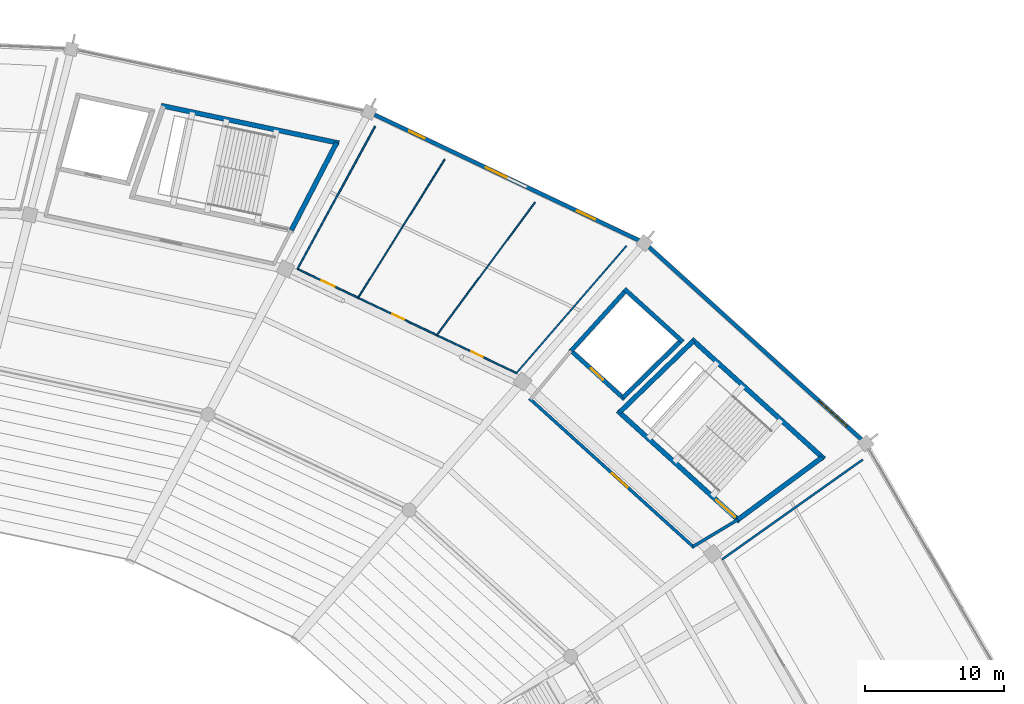
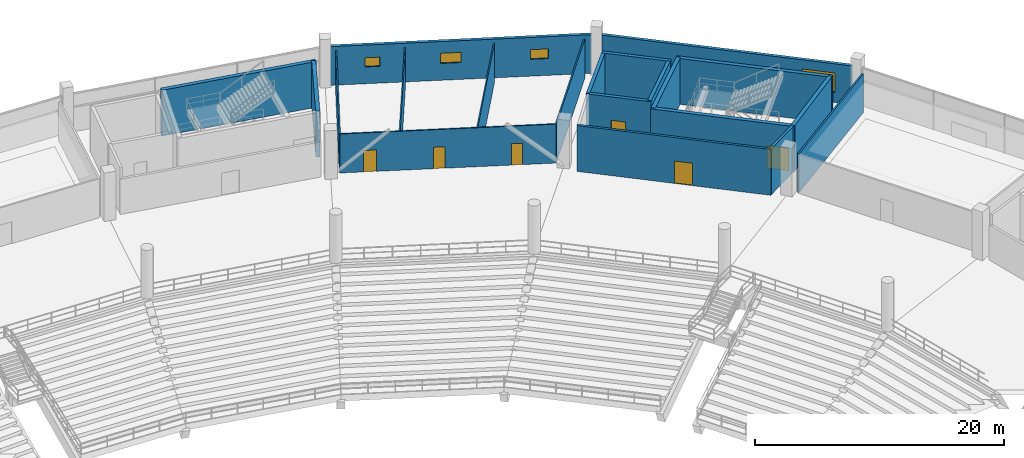
# One storey, part 108 of 156: 20 walls, 6 doors, 4 windows, 10 openings.
"""IFC4 building model written with IfcOpenShell, lengths in metres."""

from ifc_helpers import new_model, si_unit, direction, frame, frame_2d, origin, place, context, subcontext, project, spatial, rectangle, extrude, material, layer, layer_set, type_object, element, fill, save


model = new_model("IFC4")

# Units and contexts
model_context = context("Model", 3, precision=1e-05, world=origin(), true_north=direction((0.0, 1.0)))
body_context = subcontext(model_context, "Body", "Model", "MODEL_VIEW")
ifc_project = project(units=[si_unit("LENGTHUNIT", "METRE"), si_unit("AREAUNIT", "SQUARE_METRE"), si_unit("VOLUMEUNIT", "CUBIC_METRE"), si_unit("PLANEANGLEUNIT", "RADIAN"), si_unit("MASSUNIT", "GRAM", prefix="KILO")], contexts=[model_context])

# Site, building, storey
site_placement = place(None, origin())
site = spatial("IfcSite", under=ifc_project, at=site_placement, CompositionType="ELEMENT")
building_placement = place(site_placement, origin())
building = spatial("IfcBuilding", under=site, at=building_placement, Name="Kazemori Nagisa Stadium", CompositionType="ELEMENT")
storey_placement = place(building_placement, frame((0.0, 0.0, 5.780029296875)))
storey = spatial("IfcBuildingStorey", under=building, at=storey_placement, Name="L01", CompositionType="ELEMENT", Elevation=5.780029296875)

# Wall, opening, door
ifc_material_1 = material(Name="Concrete C40/50 (Fc42)", Category="concrete")
ifc_layer_1 = layer(ifc_material_1, 0.35009765625, Name="Concrete C40/50 (Fc42)", Category="concrete")
ifc_layer_set_1 = layer_set([ifc_layer_1], Name="Concrete C40/50 (Fc42)")
wall_type_1 = type_object("IfcWallType", Name="Wall_W-CORE-350", PredefinedType="SHEAR", material=ifc_layer_set_1)
wall_1_placement = place(storey_placement, frame((192.438720703125, 153.072021484375, 0.0), z_axis=(0.0, 0.0, 1.0), x_axis=(-0.741358227035, 0.671109513572, 0.0)))
wall_1 = element("IfcWall", 1, at=wall_1_placement, inside=storey, type_object=wall_type_1, Name="Core stair front shear wall ST01 L01", PredefinedType="SHEAR", context=body_context, shape_type="SweptSolid", body=[
    extrude(rectangle(XDim=11.82666015625, YDim=0.35009765625, at=frame_2d((5.913330078125, 0.0))), origin(), (0.0, 0.0, 1.0), 4.5),
])
opening_1_placement = place(wall_1_placement, frame((0.47509765625, 0.0, 0.0)))
opening_1 = element("IfcOpeningElement", 2, at=opening_1_placement, cuts=wall_1, Name="Opening D-ST-1800", PredefinedType="OPENING", context=body_context, shape_type="SweptSolid", body=[
    extrude(rectangle(XDim=1.800048828125, YDim=2.199951171875, at=frame_2d((0.89990234375, 1.10009765625))), frame((0.0, 0.18505859375, 0.0), z_axis=(0.0, -1.0, 0.0), x_axis=(1.0, 0.0, 0.0)), (0.0, 0.0, 1.0), 0.3701171875),
])
ifc_material_2 = material(Name="Galvanised steel sheet", Category="steel")
door_type_1 = type_object("IfcDoorType", Name="Door_D-ST-1800", OperationType="NOTDEFINED", PredefinedType="DOOR", material=ifc_material_2)
door_1_placement = place(opening_1_placement, frame((1.800048828125, 0.0, 0.0), z_axis=(0.0, 0.0, 1.0), x_axis=(-1.0, 0.0, 0.0)))
door_1 = element("IfcDoor", 3, at=door_1_placement, inside=storey, type_object=door_type_1, Name="Exit stair fire door ST01-L01", OperationType="SINGLE_SWING_LEFT", OverallHeight=2.199951171875, OverallWidth=1.800048828125, PredefinedType="DOOR", context=body_context, shape_type="SweptSolid", body=[
    extrude(rectangle(XDim=1.800048828125, YDim=2.199951171875, at=frame_2d((0.89990234375, 1.10009765625))), frame((0.0, 0.02490234375, 0.0), z_axis=(0.0, -1.0, 0.0), x_axis=(1.0, 0.0, 0.0)), (0.0, 0.0, 1.0), 0.050048828125),
])
fill(opening_1, door_1)

# Walls
wall_2_placement = place(storey_placement, frame((198.499267578125, 157.548095703125, 0.0), z_axis=(0.0, 0.0, 1.0), x_axis=(-0.741351373721, 0.671117084183, 0.0)))
element("IfcWall", 4, at=wall_2_placement, inside=storey, type_object=wall_type_1, Name="Core stair rear shear wall ST01 L01", PredefinedType="SHEAR", context=body_context, shape_type="SweptSolid", body=[
    extrude(rectangle(XDim=12.830322265625, YDim=0.35009765625, at=frame_2d((6.4150390625, 0.0))), origin(), (0.0, 0.0, 1.0), 4.5),
])
wall_3_placement = place(storey_placement, frame((192.308837890625, 153.189453125, 0.0), z_axis=(0.0, 0.0, 1.0), x_axis=(0.804395625347, 0.594093997548, 0.0)))
element("IfcWall", 5, at=wall_3_placement, inside=storey, type_object=wall_type_1, Name="Core stair left shear wall ST01 L01", PredefinedType="SHEAR", context=body_context, shape_type="SweptSolid", body=[
    extrude(rectangle(XDim=7.5341796875, YDim=0.35009765625, at=frame_2d((3.76708984375, 0.0))), origin(), (0.0, 0.0, 1.0), 4.5),
])
wall_4_placement = place(storey_placement, frame((183.800537109375, 160.8916015625, 0.0), z_axis=(0.0, 0.0, 1.0), x_axis=(0.718297398554, 0.69573619083, 0.0)))
element("IfcWall", 6, at=wall_4_placement, inside=storey, type_object=wall_type_1, Name="Core stair right shear wall ST01 L01", PredefinedType="SHEAR", context=body_context, shape_type="SweptSolid", body=[
    extrude(rectangle(XDim=7.40185546875, YDim=0.35009765625, at=frame_2d((3.700927734375, 0.0))), origin(), (0.0, 0.0, 1.0), 4.5),
])
wall_5_placement = place(storey_placement, frame((163.655029296875, 180.2333984375, 0.0), z_axis=(0.0, 0.0, 1.0), x_axis=(-0.978345119536, 0.206980257705, 0.0)))
element("IfcWall", 7, at=wall_5_placement, inside=storey, type_object=wall_type_1, Name="Core stair rear shear wall ST11 L01", PredefinedType="SHEAR", context=body_context, shape_type="SweptSolid", body=[
    extrude(rectangle(XDim=13.06689453125, YDim=0.35009765625, at=frame_2d((6.533447265625, 0.0))), origin(), (0.0, 0.0, 1.0), 4.5),
])
wall_6_placement = place(storey_placement, frame((160.228515625, 173.975830078125, 0.0), z_axis=(0.0, 0.0, 1.0), x_axis=(0.459409796564, 0.888224430435, 0.0)))
element("IfcWall", 8, at=wall_6_placement, inside=storey, type_object=wall_type_1, Name="Core stair left shear wall ST11 L01", PredefinedType="SHEAR", context=body_context, shape_type="SweptSolid", body=[
    extrude(rectangle(XDim=7.0859375, YDim=0.35009765625, at=frame_2d((3.54296875, 0.0))), origin(), (0.0, 0.0, 1.0), 4.5),
])

# Wall, opening, window
ifc_material_3 = material(Name="Concrete C40/50 (Fc42) precast", Category="concrete")
ifc_layer_2 = layer(ifc_material_3, 0.27490234375, Name="Concrete C40/50 (Fc42) precast", Category="concrete")
ifc_layer_set_2 = layer_set([ifc_layer_2], Name="Concrete C40/50 (Fc42) precast")
wall_type_2 = type_object("IfcWallType", Name="Wall_W-EXT-275", PredefinedType="SOLIDWALL", material=ifc_layer_set_2)
wall_7_placement = place(storey_placement, frame((201.169189453125, 158.962890625, 0.0), z_axis=(0.0, 0.0, 1.0), x_axis=(-0.741352367697, 0.671115986183, 0.0)))
wall_7 = element("IfcWall", 9, at=wall_7_placement, inside=storey, type_object=wall_type_2, Name="Exterior facade wall L01-04", PredefinedType="SOLIDWALL", context=body_context, shape_type="SweptSolid", body=[
    extrude(rectangle(XDim=20.56396484375, YDim=0.27490234375, at=frame_2d((10.281982421875, 0.0))), origin(), (0.0, 0.0, 1.0), 3.7978515625),
])
opening_2_placement = place(wall_7_placement, frame((1.39990234375, 0.0, 1.0)))
opening_2 = element("IfcOpeningElement", 10, at=opening_2_placement, cuts=wall_7, Name="Opening WIN-L01-2700", PredefinedType="OPENING", context=body_context, shape_type="SweptSolid", body=[
    extrude(rectangle(XDim=2.699951171875, YDim=1.89990234375, at=frame_2d((1.35009765625, 0.949951171875))), frame((0.0, 0.1474609375, 0.0), z_axis=(0.0, -1.0, 0.0), x_axis=(1.0, 0.0, 0.0)), (0.0, 0.0, 1.0), 0.294921875),
])
ifc_material_4 = material(Name="Low-e laminated double glazing", Category="glass")
window_type_1 = type_object("IfcWindowType", Name="Window_WIN-L01-2700", PartitioningType="SINGLE_PANEL", PredefinedType="WINDOW", material=ifc_material_4)
window_1_placement = place(opening_2_placement, origin())
window_1 = element("IfcWindow", 11, at=window_1_placement, inside=storey, type_object=window_type_1, Name="Core lobby window L01-04", OverallHeight=1.89990234375, OverallWidth=2.699951171875, PartitioningType="SINGLE_PANEL", PredefinedType="WINDOW", context=body_context, shape_type="SweptSolid", body=[
    extrude(rectangle(XDim=2.699951171875, YDim=1.89990234375, at=frame_2d((1.35009765625, 0.949951171875))), frame((0.0, 0.030029296875, 0.0), z_axis=(0.0, -1.0, 0.0), x_axis=(1.0, 0.0, 0.0)), (0.0, 0.0, 1.0), 0.06005859375),
])
fill(opening_2, window_1)

# Wall, openings, windows
wall_8_placement = place(storey_placement, frame((185.200439453125, 173.247802734375, 0.0), z_axis=(0.0, 0.0, 1.0), x_axis=(-0.903214855299, 0.429188682478, 0.0)))
wall_8 = element("IfcWall", 12, at=wall_8_placement, inside=storey, type_object=wall_type_2, Name="Exterior facade wall L01-05", PredefinedType="SOLIDWALL", context=body_context, shape_type="SweptSolid", body=[
    extrude(rectangle(XDim=21.0341796875, YDim=0.27490234375, at=frame_2d((10.51708984375, 0.0))), origin(), (0.0, 0.0, 1.0), 3.7978515625),
])
opening_3_placement = place(wall_8_placement, frame((3.48193359375, 0.0, 1.64990234375)))
opening_3 = element("IfcOpeningElement", 13, at=opening_3_placement, cuts=wall_8, Name="Opening WIN-WC-1450", PredefinedType="OPENING", context=body_context, shape_type="SweptSolid", body=[
    extrude(rectangle(XDim=1.449951171875, YDim=0.949951171875, at=frame_2d((0.72509765625, 0.47509765625))), frame((0.0, 0.1474609375, 0.0), z_axis=(0.0, -1.0, 0.0), x_axis=(1.0, 0.0, 0.0)), (0.0, 0.0, 1.0), 0.294921875),
])
opening_4_placement = place(wall_8_placement, frame((10.532958984375, 0.0, 1.64990234375)))
opening_4 = element("IfcOpeningElement", 14, at=opening_4_placement, cuts=wall_8, Name="Opening WIN-WC-1650", PredefinedType="OPENING", context=body_context, shape_type="SweptSolid", body=[
    extrude(rectangle(XDim=1.64990234375, YDim=1.0, at=frame_2d((0.824951171875, 0.5))), frame((0.0, 0.1474609375, 0.0), z_axis=(0.0, -1.0, 0.0), x_axis=(1.0, 0.0, 0.0)), (0.0, 0.0, 1.0), 0.294921875),
])
opening_5_placement = place(wall_8_placement, frame((17.069091796875, 0.0, 1.64990234375)))
opening_5 = element("IfcOpeningElement", 15, at=opening_5_placement, cuts=wall_8, Name="Opening WIN-WC-1200", PredefinedType="OPENING", context=body_context, shape_type="SweptSolid", body=[
    extrude(rectangle(XDim=1.199951171875, YDim=0.89990234375, at=frame_2d((0.60009765625, 0.449951171875))), frame((0.0, 0.1474609375, 0.0), z_axis=(0.0, -1.0, 0.0), x_axis=(1.0, 0.0, 0.0)), (0.0, 0.0, 1.0), 0.294921875),
])
window_type_2 = type_object("IfcWindowType", Name="Window_WIN-WC-1200", PartitioningType="SINGLE_PANEL", PredefinedType="WINDOW", material=ifc_material_4)
window_2_placement = place(opening_5_placement, origin())
window_2 = element("IfcWindow", 16, at=window_2_placement, inside=storey, type_object=window_type_2, Name="Sanitary clerestory window L01-05-3", OverallHeight=0.89990234375, OverallWidth=1.199951171875, PartitioningType="SINGLE_PANEL", PredefinedType="WINDOW", context=body_context, shape_type="SweptSolid", body=[
    extrude(rectangle(XDim=1.199951171875, YDim=0.89990234375, at=frame_2d((0.60009765625, 0.449951171875))), frame((0.0, 0.030029296875, 0.0), z_axis=(0.0, -1.0, 0.0), x_axis=(1.0, 0.0, 0.0)), (0.0, 0.0, 1.0), 0.06005859375),
])
fill(opening_5, window_2)
window_type_3 = type_object("IfcWindowType", Name="Window_WIN-WC-1450", PartitioningType="SINGLE_PANEL", PredefinedType="WINDOW", material=ifc_material_4)
window_3_placement = place(opening_3_placement, origin())
window_3 = element("IfcWindow", 17, at=window_3_placement, inside=storey, type_object=window_type_3, Name="Sanitary clerestory window L01-05-1", OverallHeight=0.949951171875, OverallWidth=1.449951171875, PartitioningType="SINGLE_PANEL", PredefinedType="WINDOW", context=body_context, shape_type="SweptSolid", body=[
    extrude(rectangle(XDim=1.449951171875, YDim=0.949951171875, at=frame_2d((0.72509765625, 0.47509765625))), frame((0.0, 0.030029296875, 0.0), z_axis=(0.0, -1.0, 0.0), x_axis=(1.0, 0.0, 0.0)), (0.0, 0.0, 1.0), 0.06005859375),
])
fill(opening_3, window_3)
window_type_4 = type_object("IfcWindowType", Name="Window_WIN-WC-1650", PartitioningType="SINGLE_PANEL", PredefinedType="WINDOW", material=ifc_material_4)
window_4_placement = place(opening_4_placement, origin())
window_4 = element("IfcWindow", 18, at=window_4_placement, inside=storey, type_object=window_type_4, Name="Sanitary clerestory window L01-05-2", OverallHeight=1.0, OverallWidth=1.64990234375, PartitioningType="SINGLE_PANEL", PredefinedType="WINDOW", context=body_context, shape_type="SweptSolid", body=[
    extrude(rectangle(XDim=1.64990234375, YDim=1.0, at=frame_2d((0.824951171875, 0.5))), frame((0.0, 0.030029296875, 0.0), z_axis=(0.0, -1.0, 0.0), x_axis=(1.0, 0.0, 0.0)), (0.0, 0.0, 1.0), 0.06005859375),
])
fill(opening_4, window_4)

# Wall, opening, door
ifc_material_5 = material(Name="Concrete C36/45 (Fc36)", Category="concrete")
ifc_layer_3 = layer(ifc_material_5, 0.219970703125, Name="Concrete C36/45 (Fc36)", Category="concrete")
ifc_layer_set_3 = layer_set([ifc_layer_3], Name="Concrete C36/45 (Fc36)")
wall_type_3 = type_object("IfcWallType", Name="Wall_W-LOBBY-220", PredefinedType="SOLIDWALL", material=ifc_layer_set_3)
wall_9_placement = place(storey_placement, frame((189.166259765625, 151.1806640625, 0.0), z_axis=(0.0, 0.0, 1.0), x_axis=(-0.741351035574, 0.671117457717, 0.0)))
wall_9 = element("IfcWall", 19, at=wall_9_placement, inside=storey, type_object=wall_type_3, Name="Core lobby fire wall ST01 L01", PredefinedType="SOLIDWALL", context=body_context, shape_type="SweptSolid", body=[
    extrude(rectangle(XDim=15.96923828125, YDim=0.219970703125, at=frame_2d((7.984619140625, 0.0))), origin(), (0.0, 0.0, 1.0), 4.5),
])
opening_6_placement = place(wall_9_placement, frame((6.447021484375, 0.0, 0.0)))
opening_6 = element("IfcOpeningElement", 20, at=opening_6_placement, cuts=wall_9, Name="Opening D-FFL-1500", PredefinedType="OPENING", context=body_context, shape_type="SweptSolid", body=[
    extrude(rectangle(XDim=1.5, YDim=2.199951171875, at=frame_2d((0.75, 1.10009765625))), frame((0.0, 0.119873046875, 0.0), z_axis=(0.0, -1.0, 0.0), x_axis=(1.0, 0.0, 0.0)), (0.0, 0.0, 1.0), 0.239990234375),
])
door_type_2 = type_object("IfcDoorType", Name="Door_D-FFL-1500", OperationType="NOTDEFINED", PredefinedType="DOOR", material=ifc_material_2)
door_2_placement = place(opening_6_placement, frame((1.5, 0.0, 0.0), z_axis=(0.0, 0.0, 1.0), x_axis=(-1.0, 0.0, 0.0)))
door_2 = element("IfcDoor", 21, at=door_2_placement, inside=storey, type_object=door_type_2, Name="Protected lobby fire door ST01-L01", OperationType="DOUBLE_DOOR_SINGLE_SWING", OverallHeight=2.199951171875, OverallWidth=1.5, PredefinedType="DOOR", context=body_context, shape_type="SweptSolid", body=[
    extrude(rectangle(XDim=1.5, YDim=2.199951171875, at=frame_2d((0.75, 1.10009765625))), frame((0.0, 0.02490234375, 0.0), z_axis=(0.0, -1.0, 0.0), x_axis=(1.0, 0.0, 0.0)), (0.0, 0.0, 1.0), 0.050048828125),
])
fill(opening_6, door_2)

# Walls
wall_10_placement = place(storey_placement, frame((189.084716796875, 151.25439453125, 0.0), z_axis=(0.0, 0.0, 1.0), x_axis=(0.857424171966, 0.514610327654, 0.0)))
element("IfcWall", 22, at=wall_10_placement, inside=storey, type_object=wall_type_3, Name="Core lobby left wall ST01 L01", PredefinedType="SOLIDWALL", context=body_context, shape_type="SweptSolid", body=[
    extrude(rectangle(XDim=3.76025390625, YDim=0.219970703125, at=frame_2d((1.880126953125, 0.0))), origin(), (0.0, 0.0, 1.0), 4.5),
])
ifc_material_6 = material(Name="High-pressure phenolic compact laminate", Category="gypsum")
ifc_layer_4 = layer(ifc_material_6, 0.10009765625, Name="High-pressure phenolic compact laminate", Category="gypsum")
ifc_layer_set_4 = layer_set([ifc_layer_4], Name="High-pressure phenolic compact laminate")
wall_type_4 = type_object("IfcWallType", Name="Wall_W-PART-100", PredefinedType="PARTITIONING", material=ifc_layer_set_4)
wall_11_placement = place(storey_placement, frame((170.673583984375, 166.44140625, 0.0), z_axis=(0.0, 0.0, 1.0), x_axis=(0.594760374645, 0.803903039397, 0.0)))
element("IfcWall", 23, at=wall_11_placement, inside=storey, type_object=wall_type_4, Name="Sanitary divider partition L01-B05-1", PredefinedType="PARTITIONING", context=body_context, shape_type="SweptSolid", body=[
    extrude(rectangle(XDim=11.875244140625, YDim=0.10009765625, at=frame_2d((5.9375, 0.0))), origin(), (0.0, 0.0, 1.0), 3.820068359375),
])
wall_12_placement = place(storey_placement, frame((165.025390625, 169.125244140625, 0.0), z_axis=(0.0, 0.0, 1.0), x_axis=(0.530664656497, 0.847581867636, 0.0)))
element("IfcWall", 24, at=wall_12_placement, inside=storey, type_object=wall_type_4, Name="Sanitary divider partition L01-B05-2", PredefinedType="PARTITIONING", context=body_context, shape_type="SweptSolid", body=[
    extrude(rectangle(XDim=11.732666015625, YDim=0.10009765625, at=frame_2d((5.8662109375, 0.0))), origin(), (0.0, 0.0, 1.0), 3.820068359375),
])

# Wall, openings, doors
ifc_material_7 = material(Name="Moisture-resistant gypsum board", Category="gypsum")
ifc_layer_5 = layer(ifc_material_7, 0.114990234375, Name="Moisture-resistant gypsum board", Category="gypsum")
ifc_layer_set_5 = layer_set([ifc_layer_5], Name="Moisture-resistant gypsum board")
wall_type_5 = type_object("IfcWallType", Name="Wall_W-PART-115", PredefinedType="PARTITIONING", material=ifc_layer_set_5)
wall_13_placement = place(storey_placement, frame((176.400634765625, 163.719970703125, 0.0), z_axis=(0.0, 0.0, 1.0), x_axis=(-0.903217202186, 0.429183743488, 0.0)))
wall_13 = element("IfcWall", 25, at=wall_13_placement, inside=storey, type_object=wall_type_5, Name="Sanitary block corridor partition L01-B05", PredefinedType="PARTITIONING", context=body_context, shape_type="SweptSolid", body=[
    extrude(rectangle(XDim=17.419189453125, YDim=0.114990234375, at=frame_2d((8.70947265625, 0.0))), origin(), (0.0, 0.0, 1.0), 3.820068359375),
])
opening_7_placement = place(wall_13_placement, frame((2.68505859375, 0.0, 0.0)))
opening_7 = element("IfcOpeningElement", 26, at=opening_7_placement, cuts=wall_13, Name="Opening D-WC-900", PredefinedType="OPENING", context=body_context, shape_type="SweptSolid", body=[
    extrude(rectangle(XDim=0.89990234375, YDim=2.10009765625, at=frame_2d((0.449951171875, 1.050048828125))), frame((0.0, 0.0673828125, 0.0), z_axis=(0.0, -1.0, 0.0), x_axis=(1.0, 0.0, 0.0)), (0.0, 0.0, 1.0), 0.135009765625),
])
opening_8_placement = place(wall_13_placement, frame((8.9560546875, 0.0, 0.0)))
opening_8 = element("IfcOpeningElement", 27, at=opening_8_placement, cuts=wall_13, Name="Opening D-WC-900", PredefinedType="OPENING", context=body_context, shape_type="SweptSolid", body=[
    extrude(rectangle(XDim=0.89990234375, YDim=2.10009765625, at=frame_2d((0.449951171875, 1.050048828125))), frame((0.0, 0.0673828125, 0.0), z_axis=(0.0, -1.0, 0.0), x_axis=(1.0, 0.0, 0.0)), (0.0, 0.0, 1.0), 0.135009765625),
])
opening_9_placement = place(wall_13_placement, frame((14.455078125, 0.0, 0.0)))
opening_9 = element("IfcOpeningElement", 28, at=opening_9_placement, cuts=wall_13, Name="Opening D-AWC-1050", PredefinedType="OPENING", context=body_context, shape_type="SweptSolid", body=[
    extrude(rectangle(XDim=1.050048828125, YDim=2.10009765625, at=frame_2d((0.52490234375, 1.050048828125))), frame((0.0, 0.0673828125, 0.0), z_axis=(0.0, -1.0, 0.0), x_axis=(1.0, 0.0, 0.0)), (0.0, 0.0, 1.0), 0.135009765625),
])
ifc_material_8 = material(Name="High-pressure laminate on timber core", Category="wood")
door_type_3 = type_object("IfcDoorType", Name="Door_D-AWC-1050", OperationType="NOTDEFINED", PredefinedType="DOOR", material=ifc_material_8)
door_3_placement = place(opening_9_placement, origin())
door_3 = element("IfcDoor", 29, at=door_3_placement, inside=storey, type_object=door_type_3, Name="AWC entrance door L01-B05", OperationType="SINGLE_SWING_LEFT", OverallHeight=2.10009765625, OverallWidth=1.050048828125, PredefinedType="DOOR", context=body_context, shape_type="SweptSolid", body=[
    extrude(rectangle(XDim=1.050048828125, YDim=2.10009765625, at=frame_2d((0.52490234375, 1.050048828125))), frame((0.0, 0.02490234375, 0.0), z_axis=(0.0, -1.0, 0.0), x_axis=(1.0, 0.0, 0.0)), (0.0, 0.0, 1.0), 0.050048828125),
])
fill(opening_9, door_3)
door_type_4 = type_object("IfcDoorType", Name="Door_D-WC-900", OperationType="NOTDEFINED", PredefinedType="DOOR", material=ifc_material_8)
door_4_placement = place(opening_7_placement, origin())
door_4 = element("IfcDoor", 30, at=door_4_placement, inside=storey, type_object=door_type_4, Name="MWC entrance door L01-B05", OperationType="SINGLE_SWING_LEFT", OverallHeight=2.10009765625, OverallWidth=0.89990234375, PredefinedType="DOOR", context=body_context, shape_type="SweptSolid", body=[
    extrude(rectangle(XDim=0.89990234375, YDim=2.10009765625, at=frame_2d((0.449951171875, 1.050048828125))), frame((0.0, 0.02490234375, 0.0), z_axis=(0.0, -1.0, 0.0), x_axis=(1.0, 0.0, 0.0)), (0.0, 0.0, 1.0), 0.050048828125),
])
fill(opening_7, door_4)
door_5_placement = place(opening_8_placement, origin())
door_5 = element("IfcDoor", 31, at=door_5_placement, inside=storey, type_object=door_type_4, Name="FWC entrance door L01-B05", OperationType="SINGLE_SWING_RIGHT", OverallHeight=2.10009765625, OverallWidth=0.89990234375, PredefinedType="DOOR", context=body_context, shape_type="SweptSolid", body=[
    extrude(rectangle(XDim=0.89990234375, YDim=2.10009765625, at=frame_2d((0.449951171875, 1.050048828125))), frame((0.0, 0.02490234375, 0.0), z_axis=(0.0, -1.0, 0.0), x_axis=(1.0, 0.0, 0.0)), (0.0, 0.0, 1.0), 0.050048828125),
])
fill(opening_8, door_5)

# Walls
wall_14_placement = place(storey_placement, frame((176.400634765625, 163.719970703125, 0.0), z_axis=(0.0, 0.0, 1.0), x_axis=(0.654293035882, 0.756241114458, 0.0)))
element("IfcWall", 32, at=wall_14_placement, inside=storey, type_object=wall_type_5, Name="Sanitary block L partition L01-B05", PredefinedType="PARTITIONING", context=body_context, shape_type="SweptSolid", body=[
    extrude(rectangle(XDim=12.091064453125, YDim=0.114990234375, at=frame_2d((6.04541015625, 0.0))), origin(), (0.0, 0.0, 1.0), 3.820068359375),
])
wall_15_placement = place(storey_placement, frame((160.667236328125, 171.196044921875, 0.0), z_axis=(0.0, 0.0, 1.0), x_axis=(0.478125060974, 0.878291765912, 0.0)))
element("IfcWall", 33, at=wall_15_placement, inside=storey, type_object=wall_type_5, Name="Sanitary block R partition L01-B05", PredefinedType="PARTITIONING", context=body_context, shape_type="SweptSolid", body=[
    extrude(rectangle(XDim=11.671875, YDim=0.114990234375, at=frame_2d((5.8359375, 0.0))), origin(), (0.0, 0.0, 1.0), 3.820068359375),
])
ifc_layer_6 = layer(ifc_material_7, 0.14990234375, Name="Moisture-resistant gypsum board", Category="gypsum")
ifc_layer_set_6 = layer_set([ifc_layer_6], Name="Moisture-resistant gypsum board")
wall_type_6 = type_object("IfcWallType", Name="Wall_W-PART-150", PredefinedType="PARTITIONING", material=ifc_layer_set_6)
wall_16_placement = place(storey_placement, frame((191.178955078125, 150.341552734375, 0.0), z_axis=(0.0, 0.0, 1.0), x_axis=(0.815753527099, 0.578399674122, 0.0)))
element("IfcWall", 34, at=wall_16_placement, inside=storey, type_object=wall_type_6, Name="Room radial partition L01-B03-R", PredefinedType="PARTITIONING", context=body_context, shape_type="SweptSolid", body=[
    extrude(rectangle(XDim=12.38232421875, YDim=0.14990234375, at=frame_2d((6.191162109375, 0.0))), origin(), (0.0, 0.0, 1.0), 3.820068359375),
])

# Wall, opening, door
ifc_layer_7 = layer(ifc_material_1, 0.300048828125, Name="Concrete C40/50 (Fc42)", Category="concrete")
ifc_layer_set_7 = layer_set([ifc_layer_7], Name="Concrete C40/50 (Fc42)")
wall_type_7 = type_object("IfcWallType", Name="Wall_W-SHAFT-300", PredefinedType="SHEAR", material=ifc_layer_set_7)
wall_17_placement = place(storey_placement, frame((184.1630859375, 161.840576171875, 0.0), z_axis=(0.0, 0.0, 1.0), x_axis=(-0.741350155641, 0.671118429736, 0.0)))
wall_17 = element("IfcWall", 35, at=wall_17_placement, inside=storey, type_object=wall_type_7, Name="Lift shaft front wall FL1 L01", PredefinedType="SHEAR", context=body_context, shape_type="SweptSolid", body=[
    extrude(rectangle(XDim=5.3291015625, YDim=0.300048828125, at=frame_2d((2.66455078125, 0.0))), origin(), (0.0, 0.0, 1.0), 4.5),
])
opening_10_placement = place(wall_17_placement, frame((2.06494140625, 0.0, 0.0)))
opening_10 = element("IfcOpeningElement", 36, at=opening_10_placement, cuts=wall_17, Name="Opening LD-FF", PredefinedType="OPENING", context=body_context, shape_type="SweptSolid", body=[
    extrude(rectangle(XDim=1.199951171875, YDim=2.199951171875, at=frame_2d((0.60009765625, 1.10009765625))), frame((0.0, 0.159912109375, 0.0), z_axis=(0.0, -1.0, 0.0), x_axis=(1.0, 0.0, 0.0)), (0.0, 0.0, 1.0), 0.320068359375),
])
ifc_material_9 = material(Name="Stainless steel SUS304", Category="steel")
door_type_5 = type_object("IfcDoorType", Name="Door_LD-FF", OperationType="SLIDING_TO_LEFT", PredefinedType="DOOR", material=ifc_material_9)
door_6_placement = place(opening_10_placement, origin())
door_6 = element("IfcDoor", 37, at=door_6_placement, inside=storey, type_object=door_type_5, Name="Lift landing door FL1-L01", OperationType="SLIDING_TO_LEFT", OverallHeight=2.199951171875, OverallWidth=1.199951171875, PredefinedType="DOOR", context=body_context, shape_type="SweptSolid", body=[
    extrude(rectangle(XDim=1.199951171875, YDim=2.199951171875, at=frame_2d((0.60009765625, 1.10009765625))), frame((0.0, 0.02490234375, 0.0), z_axis=(0.0, -1.0, 0.0), x_axis=(1.0, 0.0, 0.0)), (0.0, 0.0, 1.0), 0.050048828125),
])
fill(opening_10, door_6)

# Walls
wall_18_placement = place(storey_placement, frame((188.359619140625, 165.960693359375, 0.0), z_axis=(0.0, 0.0, 1.0), x_axis=(-0.74134208775, 0.671127341815, 0.0)))
element("IfcWall", 38, at=wall_18_placement, inside=storey, type_object=wall_type_7, Name="Lift shaft B wall FL1 L01", PredefinedType="SHEAR", context=body_context, shape_type="SweptSolid", body=[
    extrude(rectangle(XDim=5.674560546875, YDim=0.300048828125, at=frame_2d((2.83740234375, 0.0))), origin(), (0.0, 0.0, 1.0), 4.5),
])
wall_19_placement = place(storey_placement, frame((184.052001953125, 161.941162109375, 0.0), z_axis=(0.0, 0.0, 1.0), x_axis=(0.713553028001, 0.700601224828, 0.0)))
element("IfcWall", 39, at=wall_19_placement, inside=storey, type_object=wall_type_7, Name="Lift shaft L wall FL1 L01", PredefinedType="SHEAR", context=body_context, shape_type="SweptSolid", body=[
    extrude(rectangle(XDim=5.881103515625, YDim=0.300048828125, at=frame_2d((2.9404296875, 0.0))), origin(), (0.0, 0.0, 1.0), 4.5),
])
wall_20_placement = place(storey_placement, frame((180.32373046875, 165.31640625, 0.0), z_axis=(0.0, 0.0, 1.0), x_axis=(0.67115829282, 0.741314067031, 0.0)))
element("IfcWall", 40, at=wall_20_placement, inside=storey, type_object=wall_type_7, Name="Lift shaft R wall FL1 L01", PredefinedType="SHEAR", context=body_context, shape_type="SweptSolid", body=[
    extrude(rectangle(XDim=5.87060546875, YDim=0.300048828125, at=frame_2d((2.935302734375, 0.0))), origin(), (0.0, 0.0, 1.0), 4.5),
])

save(model, "model.ifc")
